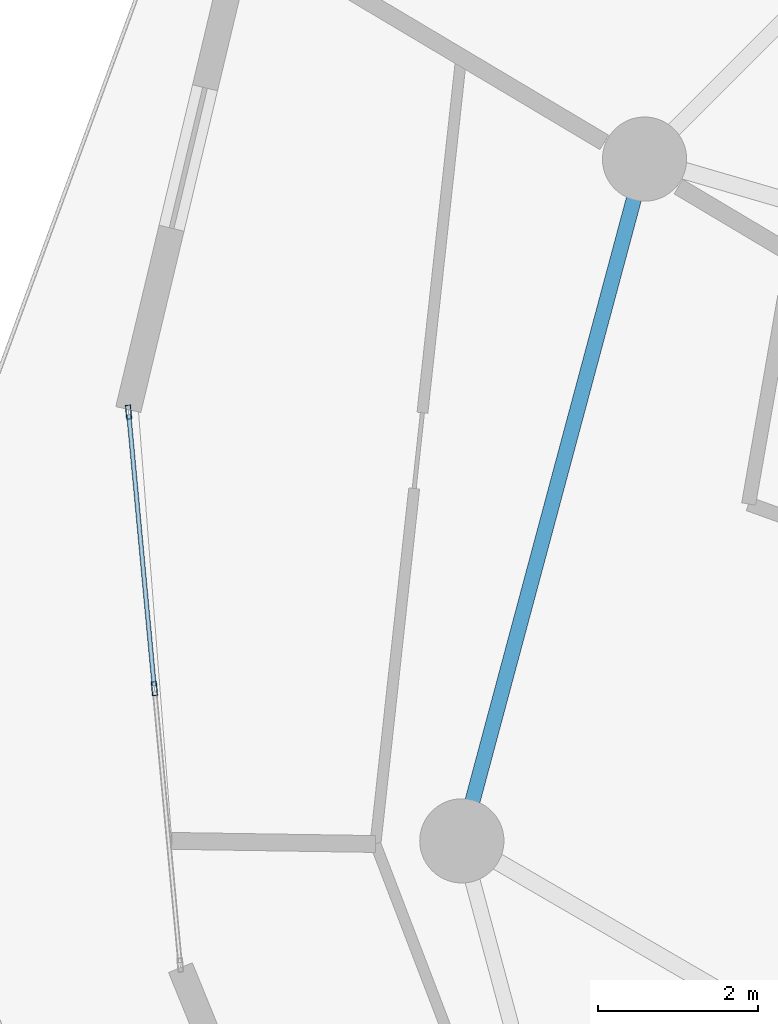
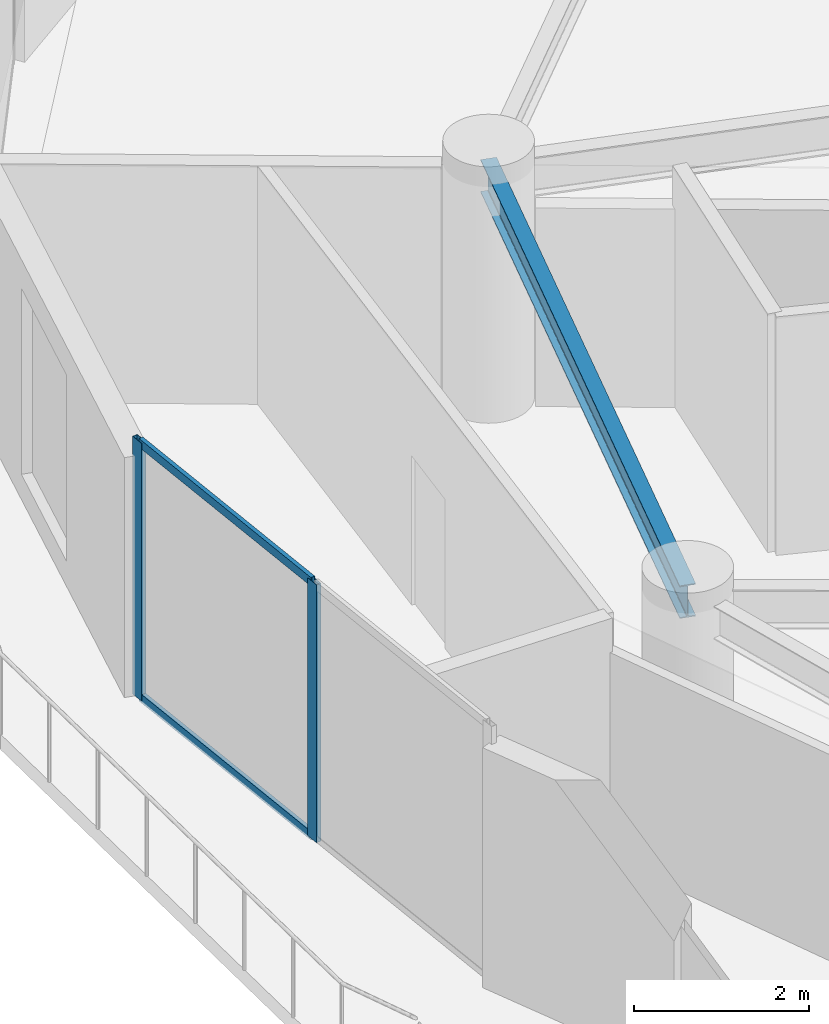
# One storey, part 7 of 22: 4 members, 1 beam, 1 element without a shape of its own.
"""IFC4 building model written with IfcOpenShell, lengths in metres."""

from ifc_helpers import new_model, si_unit, direction, frame, origin, origin_2d, place, context, subcontext, project, spatial, hollow_rectangle, i_section, extrude, source, transform, mapped, material, layer, layer_set, material_profile, profile_set, type_object, element, aggregate, save


model = new_model("IFC4")

# Units and contexts
model_context = context("Model", 3, precision=1e-05, world=origin(), true_north=direction((0.0, 1.0)))
body_context = subcontext(model_context, "Body", "Model", "MODEL_VIEW")
ifc_project = project(units=[si_unit("LENGTHUNIT", "METRE"), si_unit("AREAUNIT", "SQUARE_METRE"), si_unit("VOLUMEUNIT", "CUBIC_METRE"), si_unit("PLANEANGLEUNIT", "RADIAN"), si_unit("MASSUNIT", "GRAM", prefix="KILO")], contexts=[model_context])

# Site, building, storey
site_placement = place(None, origin())
site = spatial("IfcSite", under=ifc_project, at=site_placement, CompositionType="ELEMENT")
building_placement = place(site_placement, origin())
building = spatial("IfcBuilding", under=site, at=building_placement, Name="Solvirekh Grand Hotel", CompositionType="ELEMENT")
storey_placement = place(building_placement, frame((0.0, 0.0, 145.800048828125)))
storey = spatial("IfcBuildingStorey", under=building, at=storey_placement, Name="L37", CompositionType="ELEMENT", Elevation=145.800048828125)

# Beam
ifc_material_1 = material(Name="Steel S355", Category="steel")
ifc_material_profile_1 = material_profile(ifc_material_1, i_section(OverallWidth=0.18994140625, OverallDepth=0.45703125, WebThickness=0.009033203125, FlangeThickness=0.013916015625, FilletRadius=0.012939453125, at=origin_2d()), Name="W460X74")
ifc_profile_set_1 = profile_set([ifc_material_profile_1], Name="Steel S355")
beam_type = type_object("IfcBeamType", Name="Spandrel_Ring_W460", PredefinedType="SPANDREL", material=ifc_profile_set_1)
beam_placement = place(storey_placement, frame((-14.721923828125, 8.5, 3.1220703125), z_axis=(-0.258872908946, -0.965911391906, 0.0), x_axis=(0.965911391906, -0.258872908946, 0.0)))
element("IfcBeam", 1, at=beam_placement, inside=storey, type_object=beam_type, Name="L37 perimeter spandrel beam 6", PredefinedType="SPANDREL", context=body_context, shape_type="SweptSolid", body=[
    extrude(i_section(OverallWidth=0.18994140625, OverallDepth=0.45703125, WebThickness=0.009033203125, FlangeThickness=0.013916015625, FilletRadius=0.012939453125, at=origin_2d()), origin(), (0.0, 0.0, 1.0), 8.800048828125),
])

# Curtain wall, members
ifc_material_2 = material(Name="Anodized Bronze Aluminium 6063-T6", Category="aluminium")
ifc_layer = layer(ifc_material_2, 0.175048828125)
ifc_layer_set = layer_set([ifc_layer], Name="Anodized Bronze Aluminium 6063-T6")
curtain_wall_type = type_object("IfcCurtainWallType", Name="CW_Sys3_MidZoneFlushBronzeCW", PredefinedType="NOTDEFINED", material=ifc_layer_set)
curtain_wall_placement = place(storey_placement, origin())
curtain_wall = element("IfcCurtainWall", 2, at=curtain_wall_placement, inside=storey, type_object=curtain_wall_type, Name="L37 unitised bronze-glass curtain wall CW-L37-C13", PredefinedType="NOTDEFINED")
ifc_material_profile_2 = material_profile(ifc_material_2, hollow_rectangle(XDim=0.06494140625, YDim=0.175048828125, WallThickness=0.0048828125, at=origin_2d()), Name="ALU RHS 175X65X5")
ifc_profile_set_2 = profile_set([ifc_material_profile_2], Name="Anodized Bronze Aluminium 6063-T6")
member_type_1 = type_object("IfcMemberType", Name="CWMullion_Sys3", PredefinedType="MULLION", material=ifc_profile_set_2)
shared_shape_1 = source(origin(), body_context, "Body", "SweptSolid", [
    extrude(hollow_rectangle(XDim=0.06494140625, YDim=0.175048828125, WallThickness=0.0048828125, at=origin_2d()), origin(), (0.0, 0.0, 1.0), 3.599853515625),
])
member_1_placement = place(storey_placement, frame((-21.155029296875, 5.345703125, 0.0), z_axis=(0.0, 0.0, 1.0), x_axis=(0.995666162308, 0.092999425997, 0.0)))
member_1 = element("IfcMember", 3, at=member_1_placement, type_object=member_type_1, Name="U03 mullion 1", PredefinedType="MULLION", context=body_context, shape_type="MappedRepresentation", body=[
    mapped(shared_shape_1, transform((0.0, 0.0, 0.0), x_axis=(1.0, 0.0, 0.0), y_axis=(0.0, 1.0, 0.0), z_axis=(0.0, 0.0, 1.0), scale=1.0)),
])
member_2_placement = place(storey_placement, frame((-20.8330078125, 1.8984375, 0.0), z_axis=(0.0, 0.0, 1.0), x_axis=(0.995666162308, 0.092999425997, 0.0)))
member_2 = element("IfcMember", 4, at=member_2_placement, type_object=member_type_1, Name="U03 mullion 2", PredefinedType="MULLION", context=body_context, shape_type="MappedRepresentation", body=[
    mapped(shared_shape_1, transform((0.0, 0.0, 0.0), x_axis=(1.0, 0.0, 0.0), y_axis=(0.0, 1.0, 0.0), z_axis=(0.0, 0.0, 1.0), scale=1.0)),
])
ifc_material_profile_3 = material_profile(ifc_material_2, hollow_rectangle(XDim=0.054931640625, YDim=0.1201171875, WallThickness=0.00390625, at=origin_2d()), Name="ALU RHS 120X55X4")
ifc_profile_set_3 = profile_set([ifc_material_profile_3], Name="Anodized Bronze Aluminium 6063-T6")
member_type_2 = type_object("IfcMemberType", Name="CWTransom_Sys3", PredefinedType="USERDEFINED", material=ifc_profile_set_3)
shared_shape_2 = source(origin(), body_context, "Body", "SweptSolid", [
    extrude(hollow_rectangle(XDim=0.054931640625, YDim=0.1201171875, WallThickness=0.00390625, at=origin_2d()), origin(), (0.0, 0.0, 1.0), 3.39697265625),
])
member_3_placement = place(storey_placement, frame((-21.15185546875, 5.313232421875, 0.02734375), z_axis=(0.092997849328, -0.995666309574, 0.0), x_axis=(0.995666309574, 0.092997849328, 0.0)))
member_3 = element("IfcMember", 5, at=member_3_placement, type_object=member_type_2, Name="U03 transom 1.1", ObjectType="TRANSOM", PredefinedType="USERDEFINED", context=body_context, shape_type="MappedRepresentation", body=[
    mapped(shared_shape_2, transform((0.0, 0.0, 0.0), x_axis=(1.0, 0.0, 0.0), y_axis=(0.0, 1.0, 0.0), z_axis=(0.0, 0.0, 1.0), scale=1.0)),
])
member_4_placement = place(storey_placement, frame((-21.15185546875, 5.313232421875, 3.572509765625), z_axis=(0.092997849328, -0.995666309574, 0.0), x_axis=(0.995666309574, 0.092997849328, 0.0)))
member_4 = element("IfcMember", 6, at=member_4_placement, type_object=member_type_2, Name="U03 transom 1.2", ObjectType="TRANSOM", PredefinedType="USERDEFINED", context=body_context, shape_type="MappedRepresentation", body=[
    mapped(shared_shape_2, transform((0.0, 0.0, 0.0), x_axis=(1.0, 0.0, 0.0), y_axis=(0.0, 1.0, 0.0), z_axis=(0.0, 0.0, 1.0), scale=1.0)),
])
aggregate(curtain_wall, [member_1, member_2, member_3, member_4])

save(model, "model.ifc")
